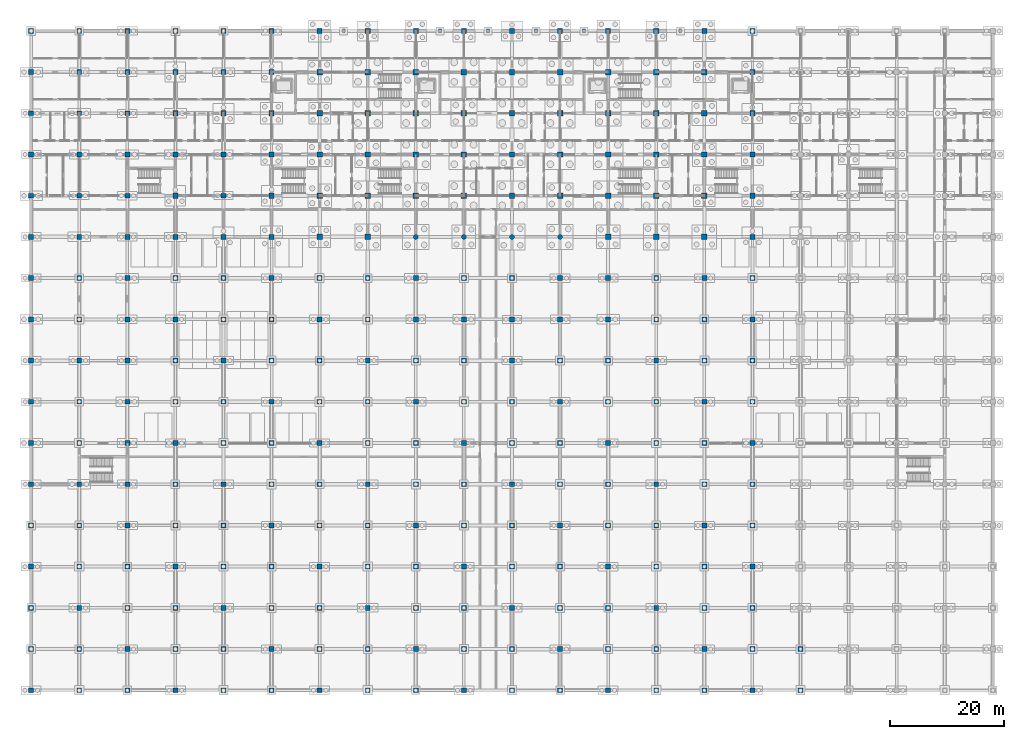
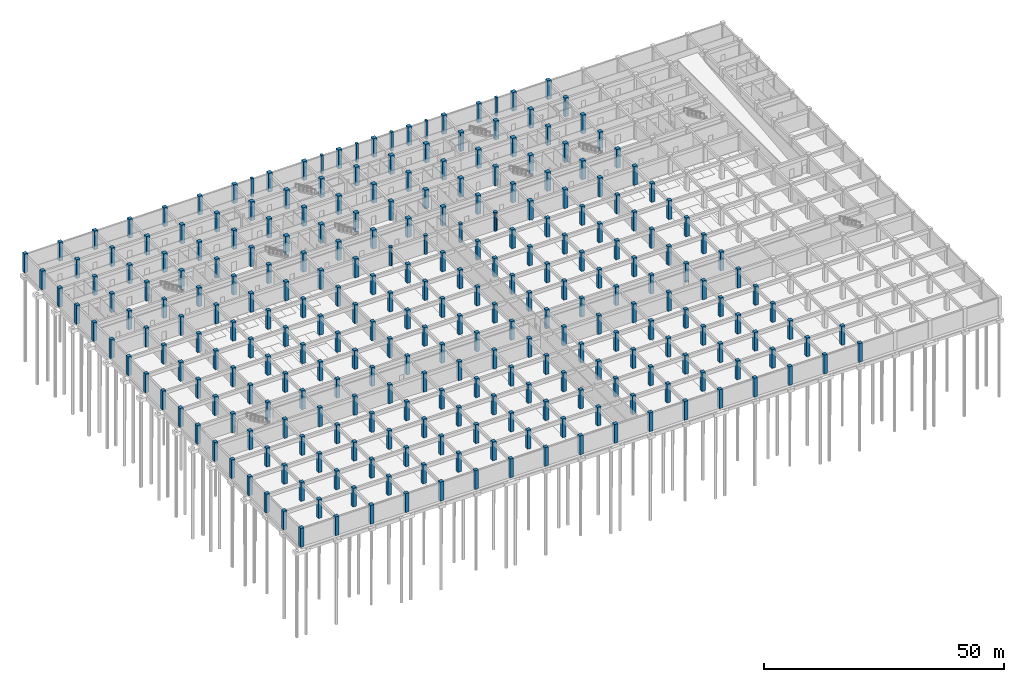
# One storey, part 17 of 85: 280 columns.
"""IFC4 building model written with IfcOpenShell, lengths in metres."""

from ifc_helpers import new_model, si_unit, direction, frame, origin, origin_2d, place, context, subcontext, project, spatial, rectangle, circle, extrude, material, material_profile, profile_set, type_object, element, save


model = new_model("IFC4")

# Units and contexts
model_context = context("Model", 3, precision=1e-05, world=origin(), true_north=direction((0.0, 1.0)))
body_context = subcontext(model_context, "Body", "Model", "MODEL_VIEW")
ifc_project = project(units=[si_unit("LENGTHUNIT", "METRE"), si_unit("AREAUNIT", "SQUARE_METRE"), si_unit("VOLUMEUNIT", "CUBIC_METRE"), si_unit("PLANEANGLEUNIT", "RADIAN"), si_unit("MASSUNIT", "GRAM", prefix="KILO")], contexts=[model_context])

# Site, building, storey
site_placement = place(None, origin())
site = spatial("IfcSite", under=ifc_project, at=site_placement, CompositionType="ELEMENT")
building_placement = place(site_placement, origin())
building = spatial("IfcBuilding", under=site, at=building_placement, Name="Chengyuan Square Courthouse", CompositionType="ELEMENT")
storey_placement = place(building_placement, frame((0.0, 0.0, -10.199951171875)))
storey = spatial("IfcBuildingStorey", under=building, at=storey_placement, Name="B02", CompositionType="ELEMENT", Elevation=-10.199951171875)

# Columns
ifc_material_1 = material(Name="Concrete C50", Category="concrete")
ifc_material_profile_1 = material_profile(ifc_material_1, rectangle(XDim=0.949951171875, YDim=0.949951171875, at=origin_2d()), Name="RC-COL-950x950")
ifc_profile_set_1 = profile_set([ifc_material_profile_1], Name="Concrete C50")
column_type_1 = type_object("IfcColumnType", Name="CL-01", PredefinedType="COLUMN", material=ifc_profile_set_1)
for number, where, z_axis, x_axis, name in (
    (1, (50.39990234375, 79.199951171875, 0.0), (0.0, 0.0, 1.0), (1.0, 0.0, 0.0), "Column CL-B02-114"),
    (2, (50.39990234375, 86.39990234375, 0.0), (0.0, 0.0, 1.0), (1.0, 0.0, 0.0), "Column CL-B02-115"),
    (3, (50.39990234375, 93.60009765625, 0.0), (0.0, 0.0, 1.0), (1.0, 0.0, 0.0), "Column CL-B02-116"),
    (4, (50.39990234375, 100.800048828125, 0.0), (0.0, 0.0, 1.0), (1.0, 0.0, 0.0), "Column CL-B02-117"),
    (5, (50.39990234375, 108.0, 0.0), (0.0, 0.0, 1.0), (1.0, 0.0, 0.0), "Column CL-B02-118"),
    (6, (58.800048828125, 79.199951171875, 0.0), (0.0, 0.0, 1.0), (1.0, 0.0, 0.0), "Column CL-B02-131"),
    (7, (58.800048828125, 86.39990234375, 0.0), (0.0, 0.0, 1.0), (1.0, 0.0, 0.0), "Column CL-B02-132"),
    (8, (58.800048828125, 93.60009765625, 0.0), (0.0, 0.0, 1.0), (1.0, 0.0, 0.0), "Column CL-B02-133"),
    (9, (58.800048828125, 100.800048828125, 0.0), (0.0, 0.0, 1.0), (1.0, 0.0, 0.0), "Column CL-B02-134"),
    (10, (58.800048828125, 108.0, 0.0), (0.0, 0.0, 1.0), (1.0, 0.0, 0.0), "Column CL-B02-135"),
    (11, (67.199951171875, 86.39990234375, 0.0), (0.0, 0.0, 1.0), (1.0, 0.0, 0.0), "Column CL-B02-149"),
    (12, (67.199951171875, 93.60009765625, 0.0), (0.0, 0.0, 1.0), (1.0, 0.0, 0.0), "Column CL-B02-150"),
    (13, (67.199951171875, 100.800048828125, 0.0), (0.0, 0.0, 1.0), (1.0, 0.0, 0.0), "Column CL-B02-151"),
    (14, (67.199951171875, 108.0, 0.0), (0.0, 0.0, 1.0), (1.0, 0.0, 0.0), "Column CL-B02-152"),
    (15, (75.60009765625, 86.39990234375, 0.0), (0.0, 0.0, 1.0), (1.0, 0.0, 0.0), "Column CL-B02-166"),
    (16, (75.60009765625, 93.60009765625, 0.0), (0.0, 0.0, 1.0), (1.0, 0.0, 0.0), "Column CL-B02-167"),
    (17, (75.60009765625, 100.800048828125, 0.0), (0.0, 0.0, 1.0), (1.0, 0.0, 0.0), "Column CL-B02-168"),
    (18, (75.60009765625, 108.0, 0.0), (0.0, 0.0, 1.0), (1.0, 0.0, 0.0), "Column CL-B02-169"),
    (19, (84.0, 86.39990234375, 0.0), (0.0, 0.0, 1.0), (1.0, 0.0, 0.0), "Column CL-B02-183"),
    (20, (84.0, 93.60009765625, 0.0), (0.0, 0.0, 1.0), (1.0, 0.0, 0.0), "Column CL-B02-184"),
    (21, (84.0, 100.800048828125, 0.0), (0.0, 0.0, 1.0), (1.0, 0.0, 0.0), "Column CL-B02-185"),
    (22, (84.0, 108.0, 0.0), (0.0, 0.0, 1.0), (1.0, 0.0, 0.0), "Column CL-B02-186"),
    (23, (92.39990234375, 86.39990234375, 0.0), (0.0, 0.0, 1.0), (1.0, 0.0, 0.0), "Column CL-B02-200"),
    (24, (92.39990234375, 93.60009765625, 0.0), (0.0, 0.0, 1.0), (1.0, 0.0, 0.0), "Column CL-B02-201"),
    (25, (92.39990234375, 100.800048828125, 0.0), (0.0, 0.0, 1.0), (1.0, 0.0, 0.0), "Column CL-B02-202"),
    (26, (92.39990234375, 108.0, 0.0), (0.0, 0.0, 1.0), (1.0, 0.0, 0.0), "Column CL-B02-203"),
    (27, (100.800048828125, 79.199951171875, 0.0), (0.0, 0.0, 1.0), (1.0, 0.0, 0.0), "Column CL-B02-216"),
    (28, (100.800048828125, 86.39990234375, 0.0), (0.0, 0.0, 1.0), (1.0, 0.0, 0.0), "Column CL-B02-217"),
    (29, (100.800048828125, 93.60009765625, 0.0), (0.0, 0.0, 1.0), (1.0, 0.0, 0.0), "Column CL-B02-218"),
    (30, (100.800048828125, 100.800048828125, 0.0), (0.0, 0.0, 1.0), (1.0, 0.0, 0.0), "Column CL-B02-219"),
    (31, (100.800048828125, 108.0, 0.0), (0.0, 0.0, 1.0), (1.0, 0.0, 0.0), "Column CL-B02-220"),
    (32, (109.199951171875, 79.199951171875, 0.0), (0.0, 0.0, 1.0), (1.0, 0.0, 0.0), "Column CL-B02-233"),
    (33, (109.199951171875, 86.39990234375, 0.0), (0.0, 0.0, 1.0), (1.0, 0.0, 0.0), "Column CL-B02-234"),
    (34, (109.199951171875, 93.60009765625, 0.0), (0.0, 0.0, 1.0), (1.0, 0.0, 0.0), "Column CL-B02-235"),
    (35, (109.199951171875, 100.800048828125, 0.0), (0.0, 0.0, 1.0), (1.0, 0.0, 0.0), "Column CL-B02-236"),
    (36, (109.199951171875, 108.0, 0.0), (0.0, 0.0, 1.0), (1.0, 0.0, 0.0), "Column CL-B02-237"),
    (37, (117.60009765625, 79.199951171875, 0.0), (0.0, 0.0, 1.0), (1.0, 0.0, 0.0), "Column CL-B02-250"),
    (38, (117.60009765625, 86.39990234375, 0.0), (0.0, 0.0, 1.0), (1.0, 0.0, 0.0), "Column CL-B02-251"),
    (39, (117.60009765625, 93.60009765625, 0.0), (0.0, 0.0, 1.0), (1.0, 0.0, 0.0), "Column CL-B02-252"),
    (40, (117.60009765625, 100.800048828125, 0.0), (0.0, 0.0, 1.0), (1.0, 0.0, 0.0), "Column CL-B02-253"),
    (41, (117.60009765625, 108.0, 0.0), (0.0, 0.0, 1.0), (1.0, 0.0, 0.0), "Column CL-B02-254"),
):
    element("IfcColumn", number, at=place(storey_placement, frame(where, z_axis=z_axis, x_axis=x_axis)), inside=storey, type_object=column_type_1, Name=name, PredefinedType="COLUMN", context=body_context, shape_type="SweptSolid", body=[
        extrude(rectangle(XDim=0.949951171875, YDim=0.949951171875, at=origin_2d()), origin(), (0.0, 0.0, 1.0), 4.800048828125),
    ])
ifc_material_profile_2 = material_profile(ifc_material_1, rectangle(XDim=0.89990234375, YDim=0.89990234375, at=origin_2d()), Name="RC-COL-900x900")
ifc_profile_set_2 = profile_set([ifc_material_profile_2], Name="Concrete C50")
column_type_2 = type_object("IfcColumnType", Name="CL-02", PredefinedType="COLUMN", material=ifc_profile_set_2)
for number, where, z_axis, x_axis, name in (
    (42, (25.199951171875, 79.199951171875, 0.0), (0.0, 0.0, 1.0), (1.0, 0.0, 0.0), "Column CL-B02-063"),
    (43, (25.199951171875, 86.39990234375, 0.0), (0.0, 0.0, 1.0), (1.0, 0.0, 0.0), "Column CL-B02-064"),
    (44, (25.199951171875, 93.60009765625, 0.0), (0.0, 0.0, 1.0), (1.0, 0.0, 0.0), "Column CL-B02-065"),
    (45, (25.199951171875, 100.800048828125, 0.0), (0.0, 0.0, 1.0), (1.0, 0.0, 0.0), "Column CL-B02-066"),
    (46, (25.199951171875, 108.0, 0.0), (0.0, 0.0, 1.0), (1.0, 0.0, 0.0), "Column CL-B02-067"),
    (47, (33.60009765625, 79.199951171875, 0.0), (0.0, 0.0, 1.0), (1.0, 0.0, 0.0), "Column CL-B02-080"),
    (48, (33.60009765625, 100.800048828125, 0.0), (0.0, 0.0, 1.0), (1.0, 0.0, 0.0), "Column CL-B02-083"),
    (49, (33.60009765625, 108.0, 0.0), (0.0, 0.0, 1.0), (1.0, 0.0, 0.0), "Column CL-B02-084"),
    (50, (42.0, 79.199951171875, 0.0), (0.0, 0.0, 1.0), (1.0, 0.0, 0.0), "Column CL-B02-097"),
    (51, (42.0, 86.39990234375, 0.0), (0.0, 0.0, 1.0), (1.0, 0.0, 0.0), "Column CL-B02-098"),
    (52, (42.0, 93.60009765625, 0.0), (0.0, 0.0, 1.0), (1.0, 0.0, 0.0), "Column CL-B02-099"),
    (53, (42.0, 100.800048828125, 0.0), (0.0, 0.0, 1.0), (1.0, 0.0, 0.0), "Column CL-B02-100"),
    (54, (42.0, 108.0, 0.0), (0.0, 0.0, 1.0), (1.0, 0.0, 0.0), "Column CL-B02-101"),
    (55, (50.39990234375, 115.199951171875, 0.0), (0.0, 0.0, 1.0), (1.0, 0.0, 0.0), "Column CL-B02-119"),
    (56, (58.800048828125, 115.199951171875, 0.0), (0.0, 0.0, 1.0), (1.0, 0.0, 0.0), "Column CL-B02-136"),
    (57, (67.199951171875, 115.199951171875, 0.0), (0.0, 0.0, 1.0), (1.0, 0.0, 0.0), "Column CL-B02-153"),
    (58, (75.60009765625, 115.199951171875, 0.0), (0.0, 0.0, 1.0), (1.0, 0.0, 0.0), "Column CL-B02-170"),
    (59, (84.0, 115.199951171875, 0.0), (0.0, 0.0, 1.0), (1.0, 0.0, 0.0), "Column CL-B02-187"),
    (60, (92.39990234375, 115.199951171875, 0.0), (0.0, 0.0, 1.0), (1.0, 0.0, 0.0), "Column CL-B02-204"),
    (61, (100.800048828125, 115.199951171875, 0.0), (0.0, 0.0, 1.0), (1.0, 0.0, 0.0), "Column CL-B02-221"),
    (62, (109.199951171875, 115.199951171875, 0.0), (0.0, 0.0, 1.0), (1.0, 0.0, 0.0), "Column CL-B02-238"),
    (63, (117.60009765625, 115.199951171875, 0.0), (0.0, 0.0, 1.0), (1.0, 0.0, 0.0), "Column CL-B02-255"),
    (64, (126.0, 79.199951171875, 0.0), (0.0, 0.0, 1.0), (1.0, 0.0, 0.0), "Column CL-B02-267"),
    (65, (126.0, 86.39990234375, 0.0), (0.0, 0.0, 1.0), (1.0, 0.0, 0.0), "Column CL-B02-268"),
    (66, (126.0, 93.60009765625, 0.0), (0.0, 0.0, 1.0), (1.0, 0.0, 0.0), "Column CL-B02-269"),
    (67, (126.0, 100.800048828125, 0.0), (0.0, 0.0, 1.0), (1.0, 0.0, 0.0), "Column CL-B02-270"),
    (68, (126.0, 108.0, 0.0), (0.0, 0.0, 1.0), (1.0, 0.0, 0.0), "Column CL-B02-271"),
):
    element("IfcColumn", number, at=place(storey_placement, frame(where, z_axis=z_axis, x_axis=x_axis)), inside=storey, type_object=column_type_2, Name=name, PredefinedType="COLUMN", context=body_context, shape_type="SweptSolid", body=[
        extrude(rectangle(XDim=0.89990234375, YDim=0.89990234375, at=origin_2d()), origin(), (0.0, 0.0, 1.0), 4.800048828125),
    ])
ifc_material_profile_3 = material_profile(ifc_material_1, rectangle(XDim=0.85009765625, YDim=0.85009765625, at=origin_2d()), Name="RC-COL-850x850")
ifc_profile_set_3 = profile_set([ifc_material_profile_3], Name="Concrete C50")
column_type_3 = type_object("IfcColumnType", Name="CL-03", PredefinedType="COLUMN", material=ifc_profile_set_3)
for number, where, z_axis, x_axis, name in (
    (69, (0.0, 0.0, 0.0), (0.0, 0.0, 1.0), (1.0, 0.0, 0.0), "Column CL-B02-001"),
    (70, (0.0, 7.199951171875, 0.0), (0.0, 0.0, 1.0), (1.0, 0.0, 0.0), "Column CL-B02-002"),
    (71, (0.0, 14.39990234375, 0.0), (0.0, 0.0, 1.0), (1.0, 0.0, 0.0), "Column CL-B02-003"),
    (72, (0.0, 21.60009765625, 0.0), (0.0, 0.0, 1.0), (1.0, 0.0, 0.0), "Column CL-B02-004"),
    (73, (0.0, 28.800048828125, 0.0), (0.0, 0.0, 1.0), (1.0, 0.0, 0.0), "Column CL-B02-005"),
    (74, (0.0, 36.0, 0.0), (0.0, 0.0, 1.0), (1.0, 0.0, 0.0), "Column CL-B02-006"),
    (75, (0.0, 43.199951171875, 0.0), (0.0, 0.0, 1.0), (1.0, 0.0, 0.0), "Column CL-B02-007"),
    (76, (0.0, 50.39990234375, 0.0), (0.0, 0.0, 1.0), (1.0, 0.0, 0.0), "Column CL-B02-008"),
    (77, (0.0, 57.60009765625, 0.0), (0.0, 0.0, 1.0), (1.0, 0.0, 0.0), "Column CL-B02-009"),
    (78, (0.0, 64.800048828125, 0.0), (0.0, 0.0, 1.0), (1.0, 0.0, 0.0), "Column CL-B02-010"),
    (79, (0.0, 72.0, 0.0), (0.0, 0.0, 1.0), (1.0, 0.0, 0.0), "Column CL-B02-011"),
    (80, (0.0, 79.199951171875, 0.0), (0.0, 0.0, 1.0), (1.0, 0.0, 0.0), "Column CL-B02-012"),
    (81, (0.0, 86.39990234375, 0.0), (0.0, 0.0, 1.0), (1.0, 0.0, 0.0), "Column CL-B02-013"),
    (82, (0.0, 93.60009765625, 0.0), (0.0, 0.0, 1.0), (1.0, 0.0, 0.0), "Column CL-B02-014"),
    (83, (0.0, 100.800048828125, 0.0), (0.0, 0.0, 1.0), (1.0, 0.0, 0.0), "Column CL-B02-015"),
    (84, (0.0, 108.0, 0.0), (0.0, 0.0, 1.0), (1.0, 0.0, 0.0), "Column CL-B02-016"),
    (85, (0.0, 115.199951171875, 0.0), (0.0, 0.0, 1.0), (1.0, 0.0, 0.0), "Column CL-B02-017"),
    (86, (8.39990234375, 0.0, 0.0), (0.0, 0.0, 1.0), (1.0, 0.0, 0.0), "Column CL-B02-018"),
    (87, (8.39990234375, 7.199951171875, 0.0), (0.0, 0.0, 1.0), (1.0, 0.0, 0.0), "Column CL-B02-019"),
    (88, (8.39990234375, 14.39990234375, 0.0), (0.0, 0.0, 1.0), (1.0, 0.0, 0.0), "Column CL-B02-020"),
    (89, (8.39990234375, 21.60009765625, 0.0), (0.0, 0.0, 1.0), (1.0, 0.0, 0.0), "Column CL-B02-021"),
    (90, (8.39990234375, 28.800048828125, 0.0), (0.0, 0.0, 1.0), (1.0, 0.0, 0.0), "Column CL-B02-022"),
    (91, (8.39990234375, 36.0, 0.0), (0.0, 0.0, 1.0), (1.0, 0.0, 0.0), "Column CL-B02-023"),
    (92, (8.39990234375, 43.199951171875, 0.0), (0.0, 0.0, 1.0), (1.0, 0.0, 0.0), "Column CL-B02-024"),
    (93, (8.39990234375, 50.39990234375, 0.0), (0.0, 0.0, 1.0), (1.0, 0.0, 0.0), "Column CL-B02-025"),
    (94, (8.39990234375, 57.60009765625, 0.0), (0.0, 0.0, 1.0), (1.0, 0.0, 0.0), "Column CL-B02-026"),
    (95, (8.39990234375, 64.800048828125, 0.0), (0.0, 0.0, 1.0), (1.0, 0.0, 0.0), "Column CL-B02-027"),
    (96, (8.39990234375, 72.0, 0.0), (0.0, 0.0, 1.0), (1.0, 0.0, 0.0), "Column CL-B02-028"),
    (97, (8.39990234375, 79.199951171875, 0.0), (0.0, 0.0, 1.0), (1.0, 0.0, 0.0), "Column CL-B02-029"),
    (98, (8.39990234375, 86.39990234375, 0.0), (0.0, 0.0, 1.0), (1.0, 0.0, 0.0), "Column CL-B02-030"),
    (99, (8.39990234375, 93.60009765625, 0.0), (0.0, 0.0, 1.0), (1.0, 0.0, 0.0), "Column CL-B02-031"),
    (100, (8.39990234375, 100.800048828125, 0.0), (0.0, 0.0, 1.0), (1.0, 0.0, 0.0), "Column CL-B02-032"),
    (101, (8.39990234375, 108.0, 0.0), (0.0, 0.0, 1.0), (1.0, 0.0, 0.0), "Column CL-B02-033"),
    (102, (8.39990234375, 115.199951171875, 0.0), (0.0, 0.0, 1.0), (1.0, 0.0, 0.0), "Column CL-B02-034"),
    (103, (16.800048828125, 0.0, 0.0), (0.0, 0.0, 1.0), (1.0, 0.0, 0.0), "Column CL-B02-035"),
    (104, (16.800048828125, 7.199951171875, 0.0), (0.0, 0.0, 1.0), (1.0, 0.0, 0.0), "Column CL-B02-036"),
    (105, (16.800048828125, 14.39990234375, 0.0), (0.0, 0.0, 1.0), (1.0, 0.0, 0.0), "Column CL-B02-037"),
    (106, (16.800048828125, 21.60009765625, 0.0), (0.0, 0.0, 1.0), (1.0, 0.0, 0.0), "Column CL-B02-038"),
    (107, (16.800048828125, 28.800048828125, 0.0), (0.0, 0.0, 1.0), (1.0, 0.0, 0.0), "Column CL-B02-039"),
    (108, (16.800048828125, 36.0, 0.0), (0.0, 0.0, 1.0), (1.0, 0.0, 0.0), "Column CL-B02-040"),
    (109, (16.800048828125, 43.199951171875, 0.0), (0.0, 0.0, 1.0), (1.0, 0.0, 0.0), "Column CL-B02-041"),
    (110, (16.800048828125, 50.39990234375, 0.0), (0.0, 0.0, 1.0), (1.0, 0.0, 0.0), "Column CL-B02-042"),
    (111, (16.800048828125, 57.60009765625, 0.0), (0.0, 0.0, 1.0), (1.0, 0.0, 0.0), "Column CL-B02-043"),
    (112, (16.800048828125, 64.800048828125, 0.0), (0.0, 0.0, 1.0), (1.0, 0.0, 0.0), "Column CL-B02-044"),
    (113, (16.800048828125, 72.0, 0.0), (0.0, 0.0, 1.0), (1.0, 0.0, 0.0), "Column CL-B02-045"),
    (114, (16.800048828125, 79.199951171875, 0.0), (0.0, 0.0, 1.0), (1.0, 0.0, 0.0), "Column CL-B02-046"),
    (115, (16.800048828125, 86.39990234375, 0.0), (0.0, 0.0, 1.0), (1.0, 0.0, 0.0), "Column CL-B02-047"),
    (116, (16.800048828125, 93.60009765625, 0.0), (0.0, 0.0, 1.0), (1.0, 0.0, 0.0), "Column CL-B02-048"),
    (117, (16.800048828125, 100.800048828125, 0.0), (0.0, 0.0, 1.0), (1.0, 0.0, 0.0), "Column CL-B02-049"),
    (118, (16.800048828125, 108.0, 0.0), (0.0, 0.0, 1.0), (1.0, 0.0, 0.0), "Column CL-B02-050"),
    (119, (16.800048828125, 115.199951171875, 0.0), (0.0, 0.0, 1.0), (1.0, 0.0, 0.0), "Column CL-B02-051"),
    (120, (25.199951171875, 0.0, 0.0), (0.0, 0.0, 1.0), (1.0, 0.0, 0.0), "Column CL-B02-052"),
    (121, (25.199951171875, 7.199951171875, 0.0), (0.0, 0.0, 1.0), (1.0, 0.0, 0.0), "Column CL-B02-053"),
    (122, (25.199951171875, 14.39990234375, 0.0), (0.0, 0.0, 1.0), (1.0, 0.0, 0.0), "Column CL-B02-054"),
    (123, (25.199951171875, 21.60009765625, 0.0), (0.0, 0.0, 1.0), (1.0, 0.0, 0.0), "Column CL-B02-055"),
    (124, (25.199951171875, 28.800048828125, 0.0), (0.0, 0.0, 1.0), (1.0, 0.0, 0.0), "Column CL-B02-056"),
    (125, (25.199951171875, 36.0, 0.0), (0.0, 0.0, 1.0), (1.0, 0.0, 0.0), "Column CL-B02-057"),
    (126, (25.199951171875, 43.199951171875, 0.0), (0.0, 0.0, 1.0), (1.0, 0.0, 0.0), "Column CL-B02-058"),
    (127, (25.199951171875, 50.39990234375, 0.0), (0.0, 0.0, 1.0), (1.0, 0.0, 0.0), "Column CL-B02-059"),
    (128, (25.199951171875, 57.60009765625, 0.0), (0.0, 0.0, 1.0), (1.0, 0.0, 0.0), "Column CL-B02-060"),
    (129, (25.199951171875, 64.800048828125, 0.0), (0.0, 0.0, 1.0), (1.0, 0.0, 0.0), "Column CL-B02-061"),
    (130, (25.199951171875, 72.0, 0.0), (0.0, 0.0, 1.0), (1.0, 0.0, 0.0), "Column CL-B02-062"),
    (131, (25.199951171875, 115.199951171875, 0.0), (0.0, 0.0, 1.0), (1.0, 0.0, 0.0), "Column CL-B02-068"),
    (132, (33.60009765625, 0.0, 0.0), (0.0, 0.0, 1.0), (1.0, 0.0, 0.0), "Column CL-B02-069"),
    (133, (33.60009765625, 7.199951171875, 0.0), (0.0, 0.0, 1.0), (1.0, 0.0, 0.0), "Column CL-B02-070"),
    (134, (33.60009765625, 14.39990234375, 0.0), (0.0, 0.0, 1.0), (1.0, 0.0, 0.0), "Column CL-B02-071"),
    (135, (33.60009765625, 21.60009765625, 0.0), (0.0, 0.0, 1.0), (1.0, 0.0, 0.0), "Column CL-B02-072"),
    (136, (33.60009765625, 28.800048828125, 0.0), (0.0, 0.0, 1.0), (1.0, 0.0, 0.0), "Column CL-B02-073"),
    (137, (33.60009765625, 36.0, 0.0), (0.0, 0.0, 1.0), (1.0, 0.0, 0.0), "Column CL-B02-074"),
    (138, (33.60009765625, 43.199951171875, 0.0), (0.0, 0.0, 1.0), (1.0, 0.0, 0.0), "Column CL-B02-075"),
    (139, (33.60009765625, 50.39990234375, 0.0), (0.0, 0.0, 1.0), (1.0, 0.0, 0.0), "Column CL-B02-076"),
    (140, (33.60009765625, 57.60009765625, 0.0), (0.0, 0.0, 1.0), (1.0, 0.0, 0.0), "Column CL-B02-077"),
    (141, (33.60009765625, 64.800048828125, 0.0), (0.0, 0.0, 1.0), (1.0, 0.0, 0.0), "Column CL-B02-078"),
    (142, (33.60009765625, 72.0, 0.0), (0.0, 0.0, 1.0), (1.0, 0.0, 0.0), "Column CL-B02-079"),
    (143, (33.60009765625, 86.39990234375, 0.0), (0.0, 0.0, 1.0), (1.0, 0.0, 0.0), "Column CL-B02-081"),
    (144, (33.60009765625, 93.60009765625, 0.0), (0.0, 0.0, 1.0), (1.0, 0.0, 0.0), "Column CL-B02-082"),
    (145, (33.60009765625, 115.199951171875, 0.0), (0.0, 0.0, 1.0), (1.0, 0.0, 0.0), "Column CL-B02-085"),
    (146, (42.0, 0.0, 0.0), (0.0, 0.0, 1.0), (1.0, 0.0, 0.0), "Column CL-B02-086"),
    (147, (42.0, 7.199951171875, 0.0), (0.0, 0.0, 1.0), (1.0, 0.0, 0.0), "Column CL-B02-087"),
    (148, (42.0, 14.39990234375, 0.0), (0.0, 0.0, 1.0), (1.0, 0.0, 0.0), "Column CL-B02-088"),
    (149, (42.0, 21.60009765625, 0.0), (0.0, 0.0, 1.0), (1.0, 0.0, 0.0), "Column CL-B02-089"),
    (150, (42.0, 28.800048828125, 0.0), (0.0, 0.0, 1.0), (1.0, 0.0, 0.0), "Column CL-B02-090"),
    (151, (42.0, 36.0, 0.0), (0.0, 0.0, 1.0), (1.0, 0.0, 0.0), "Column CL-B02-091"),
    (152, (42.0, 43.199951171875, 0.0), (0.0, 0.0, 1.0), (1.0, 0.0, 0.0), "Column CL-B02-092"),
    (153, (42.0, 50.39990234375, 0.0), (0.0, 0.0, 1.0), (1.0, 0.0, 0.0), "Column CL-B02-093"),
    (154, (42.0, 57.60009765625, 0.0), (0.0, 0.0, 1.0), (1.0, 0.0, 0.0), "Column CL-B02-094"),
    (155, (42.0, 64.800048828125, 0.0), (0.0, 0.0, 1.0), (1.0, 0.0, 0.0), "Column CL-B02-095"),
    (156, (42.0, 72.0, 0.0), (0.0, 0.0, 1.0), (1.0, 0.0, 0.0), "Column CL-B02-096"),
    (157, (42.0, 115.199951171875, 0.0), (0.0, 0.0, 1.0), (1.0, 0.0, 0.0), "Column CL-B02-102"),
    (158, (50.39990234375, 0.0, 0.0), (0.0, 0.0, 1.0), (1.0, 0.0, 0.0), "Column CL-B02-103"),
    (159, (50.39990234375, 7.199951171875, 0.0), (0.0, 0.0, 1.0), (1.0, 0.0, 0.0), "Column CL-B02-104"),
    (160, (50.39990234375, 14.39990234375, 0.0), (0.0, 0.0, 1.0), (1.0, 0.0, 0.0), "Column CL-B02-105"),
    (161, (50.39990234375, 21.60009765625, 0.0), (0.0, 0.0, 1.0), (1.0, 0.0, 0.0), "Column CL-B02-106"),
    (162, (50.39990234375, 28.800048828125, 0.0), (0.0, 0.0, 1.0), (1.0, 0.0, 0.0), "Column CL-B02-107"),
    (163, (50.39990234375, 36.0, 0.0), (0.0, 0.0, 1.0), (1.0, 0.0, 0.0), "Column CL-B02-108"),
    (164, (50.39990234375, 43.199951171875, 0.0), (0.0, 0.0, 1.0), (1.0, 0.0, 0.0), "Column CL-B02-109"),
    (165, (50.39990234375, 50.39990234375, 0.0), (0.0, 0.0, 1.0), (1.0, 0.0, 0.0), "Column CL-B02-110"),
    (166, (50.39990234375, 57.60009765625, 0.0), (0.0, 0.0, 1.0), (1.0, 0.0, 0.0), "Column CL-B02-111"),
    (167, (50.39990234375, 64.800048828125, 0.0), (0.0, 0.0, 1.0), (1.0, 0.0, 0.0), "Column CL-B02-112"),
    (168, (50.39990234375, 72.0, 0.0), (0.0, 0.0, 1.0), (1.0, 0.0, 0.0), "Column CL-B02-113"),
    (169, (58.800048828125, 0.0, 0.0), (0.0, 0.0, 1.0), (1.0, 0.0, 0.0), "Column CL-B02-120"),
    (170, (58.800048828125, 7.199951171875, 0.0), (0.0, 0.0, 1.0), (1.0, 0.0, 0.0), "Column CL-B02-121"),
    (171, (58.800048828125, 14.39990234375, 0.0), (0.0, 0.0, 1.0), (1.0, 0.0, 0.0), "Column CL-B02-122"),
    (172, (58.800048828125, 21.60009765625, 0.0), (0.0, 0.0, 1.0), (1.0, 0.0, 0.0), "Column CL-B02-123"),
    (173, (58.800048828125, 28.800048828125, 0.0), (0.0, 0.0, 1.0), (1.0, 0.0, 0.0), "Column CL-B02-124"),
    (174, (58.800048828125, 36.0, 0.0), (0.0, 0.0, 1.0), (1.0, 0.0, 0.0), "Column CL-B02-125"),
    (175, (58.800048828125, 43.199951171875, 0.0), (0.0, 0.0, 1.0), (1.0, 0.0, 0.0), "Column CL-B02-126"),
    (176, (58.800048828125, 50.39990234375, 0.0), (0.0, 0.0, 1.0), (1.0, 0.0, 0.0), "Column CL-B02-127"),
    (177, (58.800048828125, 57.60009765625, 0.0), (0.0, 0.0, 1.0), (1.0, 0.0, 0.0), "Column CL-B02-128"),
    (178, (58.800048828125, 64.800048828125, 0.0), (0.0, 0.0, 1.0), (1.0, 0.0, 0.0), "Column CL-B02-129"),
    (179, (58.800048828125, 72.0, 0.0), (0.0, 0.0, 1.0), (1.0, 0.0, 0.0), "Column CL-B02-130"),
    (180, (67.199951171875, 0.0, 0.0), (0.0, 0.0, 1.0), (1.0, 0.0, 0.0), "Column CL-B02-137"),
    (181, (67.199951171875, 7.199951171875, 0.0), (0.0, 0.0, 1.0), (1.0, 0.0, 0.0), "Column CL-B02-138"),
    (182, (67.199951171875, 14.39990234375, 0.0), (0.0, 0.0, 1.0), (1.0, 0.0, 0.0), "Column CL-B02-139"),
    (183, (67.199951171875, 21.60009765625, 0.0), (0.0, 0.0, 1.0), (1.0, 0.0, 0.0), "Column CL-B02-140"),
    (184, (67.199951171875, 28.800048828125, 0.0), (0.0, 0.0, 1.0), (1.0, 0.0, 0.0), "Column CL-B02-141"),
    (185, (67.199951171875, 36.0, 0.0), (0.0, 0.0, 1.0), (1.0, 0.0, 0.0), "Column CL-B02-142"),
    (186, (67.199951171875, 43.199951171875, 0.0), (0.0, 0.0, 1.0), (1.0, 0.0, 0.0), "Column CL-B02-143"),
    (187, (67.199951171875, 50.39990234375, 0.0), (0.0, 0.0, 1.0), (1.0, 0.0, 0.0), "Column CL-B02-144"),
    (188, (67.199951171875, 57.60009765625, 0.0), (0.0, 0.0, 1.0), (1.0, 0.0, 0.0), "Column CL-B02-145"),
    (189, (67.199951171875, 64.800048828125, 0.0), (0.0, 0.0, 1.0), (1.0, 0.0, 0.0), "Column CL-B02-146"),
    (190, (67.199951171875, 72.0, 0.0), (0.0, 0.0, 1.0), (1.0, 0.0, 0.0), "Column CL-B02-147"),
    (191, (75.60009765625, 0.0, 0.0), (0.0, 0.0, 1.0), (1.0, 0.0, 0.0), "Column CL-B02-154"),
    (192, (75.60009765625, 7.199951171875, 0.0), (0.0, 0.0, 1.0), (1.0, 0.0, 0.0), "Column CL-B02-155"),
    (193, (75.60009765625, 14.39990234375, 0.0), (0.0, 0.0, 1.0), (1.0, 0.0, 0.0), "Column CL-B02-156"),
    (194, (75.60009765625, 21.60009765625, 0.0), (0.0, 0.0, 1.0), (1.0, 0.0, 0.0), "Column CL-B02-157"),
    (195, (75.60009765625, 28.800048828125, 0.0), (0.0, 0.0, 1.0), (1.0, 0.0, 0.0), "Column CL-B02-158"),
    (196, (75.60009765625, 36.0, 0.0), (0.0, 0.0, 1.0), (1.0, 0.0, 0.0), "Column CL-B02-159"),
    (197, (75.60009765625, 43.199951171875, 0.0), (0.0, 0.0, 1.0), (1.0, 0.0, 0.0), "Column CL-B02-160"),
    (198, (75.60009765625, 50.39990234375, 0.0), (0.0, 0.0, 1.0), (1.0, 0.0, 0.0), "Column CL-B02-161"),
    (199, (75.60009765625, 57.60009765625, 0.0), (0.0, 0.0, 1.0), (1.0, 0.0, 0.0), "Column CL-B02-162"),
    (200, (75.60009765625, 64.800048828125, 0.0), (0.0, 0.0, 1.0), (1.0, 0.0, 0.0), "Column CL-B02-163"),
    (201, (75.60009765625, 72.0, 0.0), (0.0, 0.0, 1.0), (1.0, 0.0, 0.0), "Column CL-B02-164"),
    (202, (84.0, 0.0, 0.0), (0.0, 0.0, 1.0), (1.0, 0.0, 0.0), "Column CL-B02-171"),
    (203, (84.0, 7.199951171875, 0.0), (0.0, 0.0, 1.0), (1.0, 0.0, 0.0), "Column CL-B02-172"),
    (204, (84.0, 14.39990234375, 0.0), (0.0, 0.0, 1.0), (1.0, 0.0, 0.0), "Column CL-B02-173"),
    (205, (84.0, 21.60009765625, 0.0), (0.0, 0.0, 1.0), (1.0, 0.0, 0.0), "Column CL-B02-174"),
    (206, (84.0, 28.800048828125, 0.0), (0.0, 0.0, 1.0), (1.0, 0.0, 0.0), "Column CL-B02-175"),
    (207, (84.0, 36.0, 0.0), (0.0, 0.0, 1.0), (1.0, 0.0, 0.0), "Column CL-B02-176"),
    (208, (84.0, 43.199951171875, 0.0), (0.0, 0.0, 1.0), (1.0, 0.0, 0.0), "Column CL-B02-177"),
    (209, (84.0, 50.39990234375, 0.0), (0.0, 0.0, 1.0), (1.0, 0.0, 0.0), "Column CL-B02-178"),
    (210, (84.0, 57.60009765625, 0.0), (0.0, 0.0, 1.0), (1.0, 0.0, 0.0), "Column CL-B02-179"),
    (211, (84.0, 64.800048828125, 0.0), (0.0, 0.0, 1.0), (1.0, 0.0, 0.0), "Column CL-B02-180"),
    (212, (84.0, 72.0, 0.0), (0.0, 0.0, 1.0), (1.0, 0.0, 0.0), "Column CL-B02-181"),
    (213, (92.39990234375, 0.0, 0.0), (0.0, 0.0, 1.0), (1.0, 0.0, 0.0), "Column CL-B02-188"),
    (214, (92.39990234375, 7.199951171875, 0.0), (0.0, 0.0, 1.0), (1.0, 0.0, 0.0), "Column CL-B02-189"),
    (215, (92.39990234375, 14.39990234375, 0.0), (0.0, 0.0, 1.0), (1.0, 0.0, 0.0), "Column CL-B02-190"),
    (216, (92.39990234375, 21.60009765625, 0.0), (0.0, 0.0, 1.0), (1.0, 0.0, 0.0), "Column CL-B02-191"),
    (217, (92.39990234375, 28.800048828125, 0.0), (0.0, 0.0, 1.0), (1.0, 0.0, 0.0), "Column CL-B02-192"),
    (218, (92.39990234375, 36.0, 0.0), (0.0, 0.0, 1.0), (1.0, 0.0, 0.0), "Column CL-B02-193"),
    (219, (92.39990234375, 43.199951171875, 0.0), (0.0, 0.0, 1.0), (1.0, 0.0, 0.0), "Column CL-B02-194"),
    (220, (92.39990234375, 50.39990234375, 0.0), (0.0, 0.0, 1.0), (1.0, 0.0, 0.0), "Column CL-B02-195"),
    (221, (92.39990234375, 57.60009765625, 0.0), (0.0, 0.0, 1.0), (1.0, 0.0, 0.0), "Column CL-B02-196"),
    (222, (92.39990234375, 64.800048828125, 0.0), (0.0, 0.0, 1.0), (1.0, 0.0, 0.0), "Column CL-B02-197"),
    (223, (92.39990234375, 72.0, 0.0), (0.0, 0.0, 1.0), (1.0, 0.0, 0.0), "Column CL-B02-198"),
    (224, (100.800048828125, 0.0, 0.0), (0.0, 0.0, 1.0), (1.0, 0.0, 0.0), "Column CL-B02-205"),
    (225, (100.800048828125, 7.199951171875, 0.0), (0.0, 0.0, 1.0), (1.0, 0.0, 0.0), "Column CL-B02-206"),
    (226, (100.800048828125, 14.39990234375, 0.0), (0.0, 0.0, 1.0), (1.0, 0.0, 0.0), "Column CL-B02-207"),
    (227, (100.800048828125, 21.60009765625, 0.0), (0.0, 0.0, 1.0), (1.0, 0.0, 0.0), "Column CL-B02-208"),
    (228, (100.800048828125, 28.800048828125, 0.0), (0.0, 0.0, 1.0), (1.0, 0.0, 0.0), "Column CL-B02-209"),
    (229, (100.800048828125, 36.0, 0.0), (0.0, 0.0, 1.0), (1.0, 0.0, 0.0), "Column CL-B02-210"),
    (230, (100.800048828125, 43.199951171875, 0.0), (0.0, 0.0, 1.0), (1.0, 0.0, 0.0), "Column CL-B02-211"),
    (231, (100.800048828125, 50.39990234375, 0.0), (0.0, 0.0, 1.0), (1.0, 0.0, 0.0), "Column CL-B02-212"),
    (232, (100.800048828125, 57.60009765625, 0.0), (0.0, 0.0, 1.0), (1.0, 0.0, 0.0), "Column CL-B02-213"),
    (233, (100.800048828125, 64.800048828125, 0.0), (0.0, 0.0, 1.0), (1.0, 0.0, 0.0), "Column CL-B02-214"),
    (234, (100.800048828125, 72.0, 0.0), (0.0, 0.0, 1.0), (1.0, 0.0, 0.0), "Column CL-B02-215"),
    (235, (109.199951171875, 0.0, 0.0), (0.0, 0.0, 1.0), (1.0, 0.0, 0.0), "Column CL-B02-222"),
    (236, (109.199951171875, 7.199951171875, 0.0), (0.0, 0.0, 1.0), (1.0, 0.0, 0.0), "Column CL-B02-223"),
    (237, (109.199951171875, 14.39990234375, 0.0), (0.0, 0.0, 1.0), (1.0, 0.0, 0.0), "Column CL-B02-224"),
    (238, (109.199951171875, 21.60009765625, 0.0), (0.0, 0.0, 1.0), (1.0, 0.0, 0.0), "Column CL-B02-225"),
    (239, (109.199951171875, 28.800048828125, 0.0), (0.0, 0.0, 1.0), (1.0, 0.0, 0.0), "Column CL-B02-226"),
    (240, (109.199951171875, 36.0, 0.0), (0.0, 0.0, 1.0), (1.0, 0.0, 0.0), "Column CL-B02-227"),
    (241, (109.199951171875, 43.199951171875, 0.0), (0.0, 0.0, 1.0), (1.0, 0.0, 0.0), "Column CL-B02-228"),
    (242, (109.199951171875, 50.39990234375, 0.0), (0.0, 0.0, 1.0), (1.0, 0.0, 0.0), "Column CL-B02-229"),
    (243, (109.199951171875, 57.60009765625, 0.0), (0.0, 0.0, 1.0), (1.0, 0.0, 0.0), "Column CL-B02-230"),
    (244, (109.199951171875, 64.800048828125, 0.0), (0.0, 0.0, 1.0), (1.0, 0.0, 0.0), "Column CL-B02-231"),
    (245, (109.199951171875, 72.0, 0.0), (0.0, 0.0, 1.0), (1.0, 0.0, 0.0), "Column CL-B02-232"),
    (246, (117.60009765625, 0.0, 0.0), (0.0, 0.0, 1.0), (1.0, 0.0, 0.0), "Column CL-B02-239"),
    (247, (117.60009765625, 7.199951171875, 0.0), (0.0, 0.0, 1.0), (1.0, 0.0, 0.0), "Column CL-B02-240"),
    (248, (117.60009765625, 14.39990234375, 0.0), (0.0, 0.0, 1.0), (1.0, 0.0, 0.0), "Column CL-B02-241"),
    (249, (117.60009765625, 21.60009765625, 0.0), (0.0, 0.0, 1.0), (1.0, 0.0, 0.0), "Column CL-B02-242"),
    (250, (117.60009765625, 28.800048828125, 0.0), (0.0, 0.0, 1.0), (1.0, 0.0, 0.0), "Column CL-B02-243"),
    (251, (117.60009765625, 36.0, 0.0), (0.0, 0.0, 1.0), (1.0, 0.0, 0.0), "Column CL-B02-244"),
    (252, (117.60009765625, 43.199951171875, 0.0), (0.0, 0.0, 1.0), (1.0, 0.0, 0.0), "Column CL-B02-245"),
    (253, (117.60009765625, 50.39990234375, 0.0), (0.0, 0.0, 1.0), (1.0, 0.0, 0.0), "Column CL-B02-246"),
    (254, (117.60009765625, 57.60009765625, 0.0), (0.0, 0.0, 1.0), (1.0, 0.0, 0.0), "Column CL-B02-247"),
    (255, (117.60009765625, 64.800048828125, 0.0), (0.0, 0.0, 1.0), (1.0, 0.0, 0.0), "Column CL-B02-248"),
    (256, (117.60009765625, 72.0, 0.0), (0.0, 0.0, 1.0), (1.0, 0.0, 0.0), "Column CL-B02-249"),
    (257, (126.0, 0.0, 0.0), (0.0, 0.0, 1.0), (1.0, 0.0, 0.0), "Column CL-B02-256"),
    (258, (126.0, 7.199951171875, 0.0), (0.0, 0.0, 1.0), (1.0, 0.0, 0.0), "Column CL-B02-257"),
    (259, (126.0, 14.39990234375, 0.0), (0.0, 0.0, 1.0), (1.0, 0.0, 0.0), "Column CL-B02-258"),
    (260, (126.0, 21.60009765625, 0.0), (0.0, 0.0, 1.0), (1.0, 0.0, 0.0), "Column CL-B02-259"),
    (261, (126.0, 28.800048828125, 0.0), (0.0, 0.0, 1.0), (1.0, 0.0, 0.0), "Column CL-B02-260"),
    (262, (126.0, 36.0, 0.0), (0.0, 0.0, 1.0), (1.0, 0.0, 0.0), "Column CL-B02-261"),
    (263, (126.0, 43.199951171875, 0.0), (0.0, 0.0, 1.0), (1.0, 0.0, 0.0), "Column CL-B02-262"),
    (264, (126.0, 50.39990234375, 0.0), (0.0, 0.0, 1.0), (1.0, 0.0, 0.0), "Column CL-B02-263"),
    (265, (126.0, 57.60009765625, 0.0), (0.0, 0.0, 1.0), (1.0, 0.0, 0.0), "Column CL-B02-264"),
    (266, (126.0, 64.800048828125, 0.0), (0.0, 0.0, 1.0), (1.0, 0.0, 0.0), "Column CL-B02-265"),
    (267, (126.0, 72.0, 0.0), (0.0, 0.0, 1.0), (1.0, 0.0, 0.0), "Column CL-B02-266"),
    (268, (126.0, 115.199951171875, 0.0), (0.0, 0.0, 1.0), (1.0, 0.0, 0.0), "Column CL-B02-272"),
    (269, (134.39990234375, 0.0, 0.0), (0.0, 0.0, 1.0), (1.0, 0.0, 0.0), "Column CL-B02-273"),
    (270, (134.39990234375, 7.199951171875, 0.0), (0.0, 0.0, 1.0), (1.0, 0.0, 0.0), "Column CL-B02-274"),
):
    element("IfcColumn", number, at=place(storey_placement, frame(where, z_axis=z_axis, x_axis=x_axis)), inside=storey, type_object=column_type_3, Name=name, PredefinedType="COLUMN", context=body_context, shape_type="SweptSolid", body=[
        extrude(rectangle(XDim=0.85009765625, YDim=0.85009765625, at=origin_2d()), origin(), (0.0, 0.0, 1.0), 4.800048828125),
    ])
ifc_material_profile_4 = material_profile(ifc_material_1, circle(Radius=0.425048828125, at=origin_2d()), Name="RC-COL-D850")
ifc_profile_set_4 = profile_set([ifc_material_profile_4], Name="Concrete C50")
column_type_4 = type_object("IfcColumnType", Name="CL-08", PredefinedType="COLUMN", material=ifc_profile_set_4)
for number, where, z_axis, x_axis, name in (
    (271, (67.199951171875, 79.199951171875, 0.0), (0.0, 0.0, 1.0), (1.0, 0.0, 0.0), "Column CL-B02-148"),
    (272, (75.60009765625, 79.199951171875, 0.0), (0.0, 0.0, 1.0), (1.0, 0.0, 0.0), "Column CL-B02-165"),
    (273, (84.0, 79.199951171875, 0.0), (0.0, 0.0, 1.0), (1.0, 0.0, 0.0), "Column CL-B02-182"),
    (274, (92.39990234375, 79.199951171875, 0.0), (0.0, 0.0, 1.0), (1.0, 0.0, 0.0), "Column CL-B02-199"),
):
    element("IfcColumn", number, at=place(storey_placement, frame(where, z_axis=z_axis, x_axis=x_axis)), inside=storey, type_object=column_type_4, Name=name, PredefinedType="COLUMN", context=body_context, shape_type="SweptSolid", body=[
        extrude(circle(Radius=0.425048828125, at=origin_2d()), origin(), (0.0, 0.0, 1.0), 4.800048828125),
    ])
ifc_material_2 = material(Name="Concrete C40", Category="concrete")
ifc_material_profile_5 = material_profile(ifc_material_2, rectangle(XDim=0.5, YDim=0.64990234375, at=origin_2d()), Name="RC-PIL-500x650")
ifc_profile_set_5 = profile_set([ifc_material_profile_5], Name="Concrete C40")
column_type_5 = type_object("IfcColumnType", Name="CL-09", PredefinedType="PILASTER", material=ifc_profile_set_5)
for number, where, z_axis, x_axis, name in (
    (275, (54.60009765625, 115.199951171875, 0.0), (0.0, 0.0, 1.0), (1.0, 0.0, 0.0), "Engaged Pilaster PLST-B02-358"),
    (276, (71.39990234375, 115.199951171875, 0.0), (0.0, 0.0, 1.0), (1.0, 0.0, 0.0), "Engaged Pilaster PLST-B02-359"),
    (277, (79.800048828125, 115.199951171875, 0.0), (0.0, 0.0, 1.0), (1.0, 0.0, 0.0), "Engaged Pilaster PLST-B02-360"),
    (278, (88.199951171875, 115.199951171875, 0.0), (0.0, 0.0, 1.0), (1.0, 0.0, 0.0), "Engaged Pilaster PLST-B02-361"),
    (279, (96.60009765625, 115.199951171875, 0.0), (0.0, 0.0, 1.0), (1.0, 0.0, 0.0), "Engaged Pilaster PLST-B02-362"),
    (280, (113.39990234375, 115.199951171875, 0.0), (0.0, 0.0, 1.0), (1.0, 0.0, 0.0), "Engaged Pilaster PLST-B02-363"),
):
    element("IfcColumn", number, at=place(storey_placement, frame(where, z_axis=z_axis, x_axis=x_axis)), inside=storey, type_object=column_type_5, Name=name, PredefinedType="PILASTER", context=body_context, shape_type="SweptSolid", body=[
        extrude(rectangle(XDim=0.5, YDim=0.64990234375, at=origin_2d()), origin(), (0.0, 0.0, 1.0), 4.800048828125),
    ])

save(model, "model.ifc")
